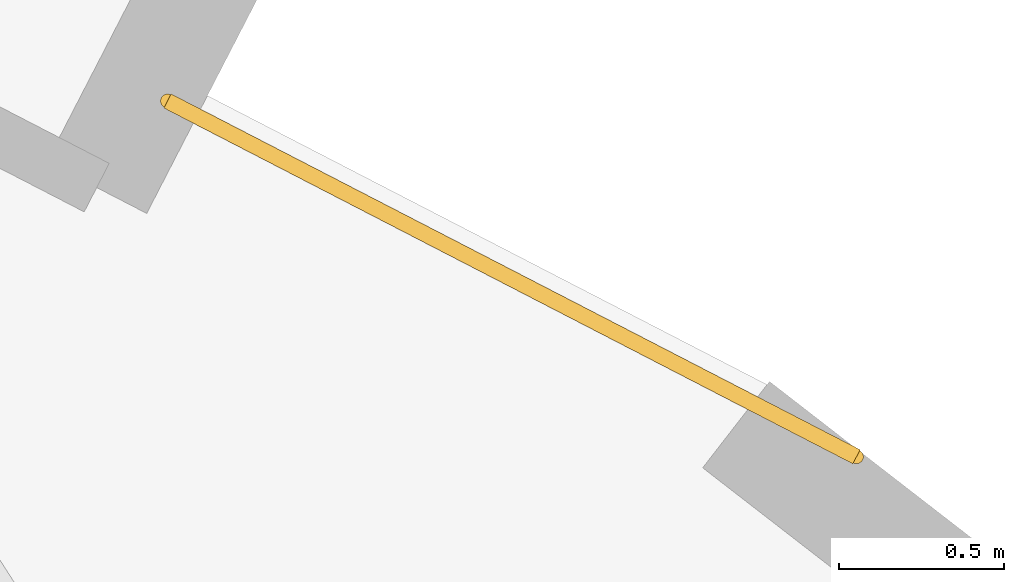
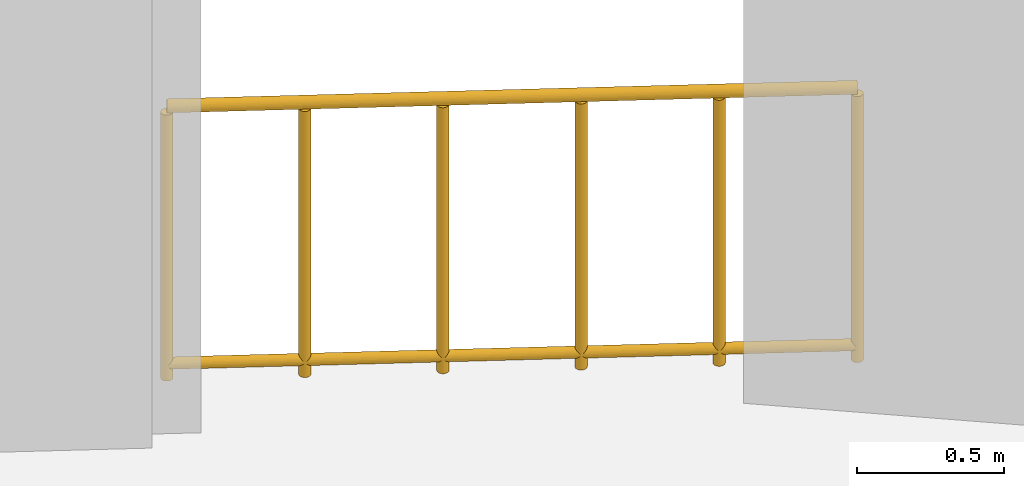
# One storey, part 10 of 10: 1 railing.
"""IFC4 building model written with IfcOpenShell, lengths in metres."""

from ifc_helpers import new_model, si_unit, direction, frame, origin, origin_2d, place, context, subcontext, project, spatial, circle, extrude, material, type_object, element, save


model = new_model("IFC4")

# Units and contexts
model_context = context("Model", 3, precision=1e-05, world=origin(), true_north=direction((0.0, 1.0)))
body_context = subcontext(model_context, "Body", "Model", "MODEL_VIEW")
ifc_project = project(units=[si_unit("LENGTHUNIT", "METRE"), si_unit("AREAUNIT", "SQUARE_METRE"), si_unit("VOLUMEUNIT", "CUBIC_METRE"), si_unit("PLANEANGLEUNIT", "RADIAN"), si_unit("MASSUNIT", "GRAM", prefix="KILO"), si_unit("THERMODYNAMICTEMPERATUREUNIT", "KELVIN"), si_unit("POWERUNIT", "WATT")], contexts=[model_context])

# Site, building, storey
site_placement = place(None, origin())
site = spatial("IfcSite", under=ifc_project, at=site_placement, CompositionType="ELEMENT")
building_placement = place(site_placement, origin())
building = spatial("IfcBuilding", under=site, at=building_placement, Name="Skarre Station Tower", CompositionType="ELEMENT")
storey_placement = place(building_placement, frame((0.0, 0.0, 115.35009765625)))
storey = spatial("IfcBuildingStorey", under=building, at=storey_placement, Name="L30", CompositionType="ELEMENT", Elevation=115.35009765625)

# Railing
ifc_material = material(Name="Stainless Steel Grade 316L & Laminated Safety Glass", Category="steel")
railing_type = type_object("IfcRailingType", Name="Laminated Glass & Stainless Terrace Guardrail 1150", PredefinedType="BALUSTRADE", material=ifc_material)
railing_placement = place(storey_placement, frame((53.037109375, 37.029052734375, 0.0)))
element("IfcRailing", 1, at=railing_placement, inside=storey, type_object=railing_type, Name="L30 SB-2 Shoulder Ledge Guardrail 2", PredefinedType="BALUSTRADE", context=body_context, shape_type="SweptSolid", body=[
    extrude(circle(Radius=0.02392578125, at=origin_2d()), frame((0.0, 0.0, 1.1259765625), z_axis=(0.888522104904, -0.458833814248, 0.0), x_axis=(0.458833814248, 0.888522104904, 0.0)), (0.0, 0.0, 1.0), 2.345458984375),
    extrude(circle(Radius=0.02099609375, at=origin_2d()), frame((0.0, 0.0, 0.06005859375), z_axis=(0.888522104904, -0.458833814248, 0.0), x_axis=(0.458833814248, 0.888522104904, 0.0)), (0.0, 0.0, 1.0), 2.345458984375),
    extrude(circle(Radius=0.02099609375, at=origin_2d()), origin(), (0.0, 0.0, 1.0), 1.101806640625),
    extrude(circle(Radius=0.02099609375, at=origin_2d()), frame((0.416748046875, -0.21533203125, 0.0)), (0.0, 0.0, 1.0), 1.101806640625),
    extrude(circle(Radius=0.02099609375, at=origin_2d()), frame((0.83349609375, -0.430419921875, 0.0)), (0.0, 0.0, 1.0), 1.101806640625),
    extrude(circle(Radius=0.02099609375, at=origin_2d()), frame((1.25048828125, -0.645751953125, 0.0)), (0.0, 0.0, 1.0), 1.101806640625),
    extrude(circle(Radius=0.02099609375, at=origin_2d()), frame((1.667236328125, -0.86083984375, 0.0)), (0.0, 0.0, 1.0), 1.101806640625),
    extrude(circle(Radius=0.02099609375, at=origin_2d()), frame((2.083984375, -1.076171875, 0.0)), (0.0, 0.0, 1.0), 1.101806640625),
])

save(model, "model.ifc")
